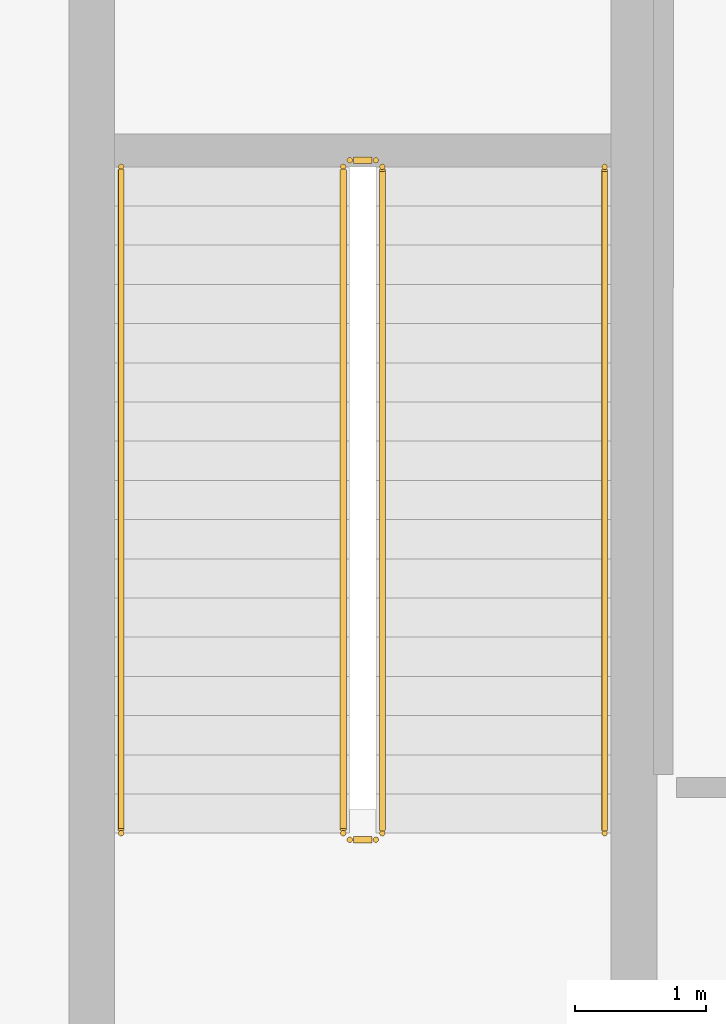
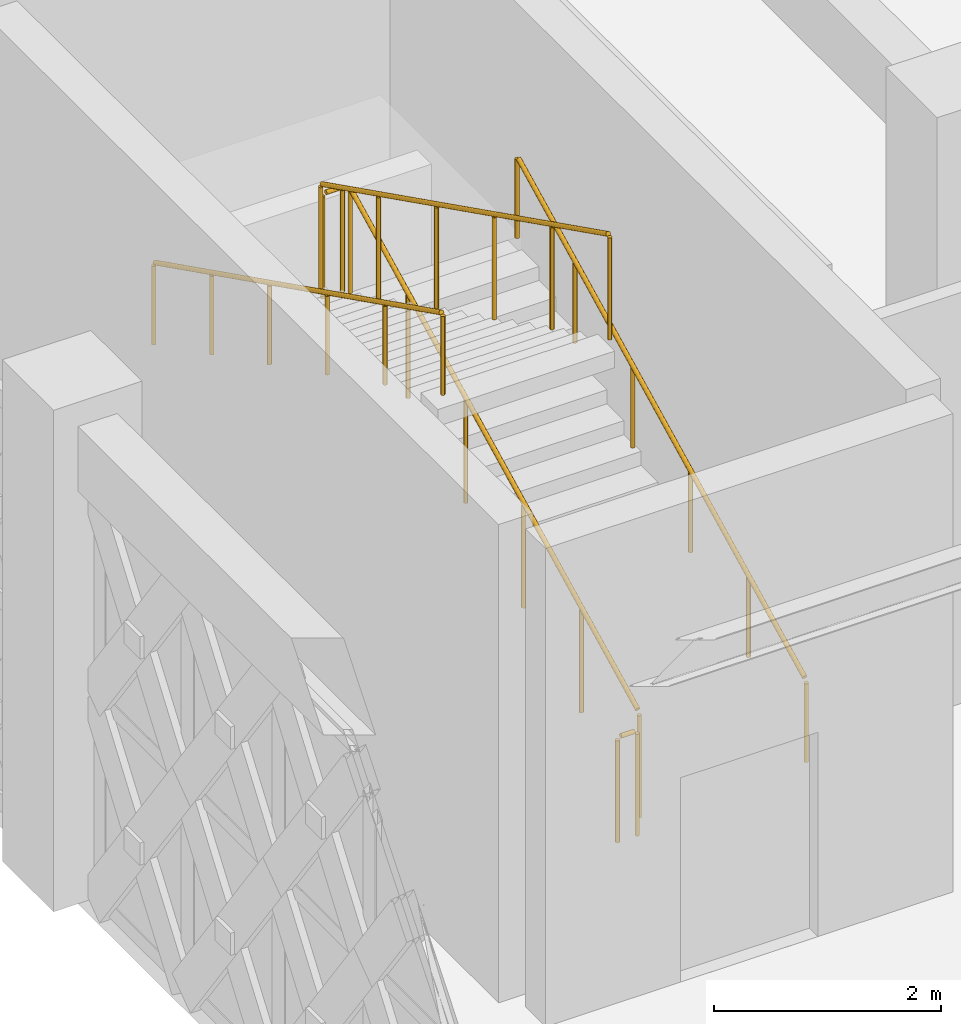
# One storey, part 162 of 166: 6 railings.
"""IFC4 building model written with IfcOpenShell, lengths in metres."""

from ifc_helpers import new_model, si_unit, direction, frame, origin, origin_2d, place, context, subcontext, project, spatial, circle, extrude, material, type_object, element, save


model = new_model("IFC4")

# Units and contexts
model_context = context("Model", 3, precision=1e-05, world=origin(), true_north=direction((0.0, 1.0)))
body_context = subcontext(model_context, "Body", "Model", "MODEL_VIEW")
ifc_project = project(units=[si_unit("LENGTHUNIT", "METRE"), si_unit("AREAUNIT", "SQUARE_METRE"), si_unit("VOLUMEUNIT", "CUBIC_METRE"), si_unit("PLANEANGLEUNIT", "RADIAN"), si_unit("MASSUNIT", "GRAM", prefix="KILO")], contexts=[model_context])

# Site, building, storey
site_placement = place(None, origin())
site = spatial("IfcSite", under=ifc_project, at=site_placement, CompositionType="ELEMENT")
building_placement = place(site_placement, origin())
building = spatial("IfcBuilding", under=site, at=building_placement, Name="Haizhuo Lancet Aquarium", CompositionType="ELEMENT")
storey_placement = place(building_placement, frame((0.0, 0.0, 5.39990234375)))
storey = spatial("IfcBuildingStorey", under=building, at=storey_placement, Name="L01", CompositionType="ELEMENT", Elevation=5.39990234375)

# Railings
ifc_material = material(Name="Steel S355", Category="steel")
railing_type_1 = type_object("IfcRailingType", Name="RL-GRD-1150", PredefinedType="GUARDRAIL", material=ifc_material)
railing_1_placement = place(storey_placement, frame((-22.35009765625, 43.050048828125, 0.150146484375)))
element("IfcRailing", 1, at=railing_1_placement, inside=storey, type_object=railing_type_1, Name="L01 ST-07 stair guard 1", PredefinedType="GUARDRAIL", context=body_context, shape_type="SweptSolid", body=[
    extrude(circle(Radius=0.02392578125, at=origin_2d()), frame((0.0, 0.02685546875, 1.13916015625), z_axis=(0.0, 0.894418627299, 0.447230722492), x_axis=(-1.0, 0.0, 0.0)), (0.0, 0.0, 1.0), 5.641845703125),
    extrude(circle(Radius=0.02099609375, at=origin_2d()), origin(), (0.0, 0.0, 1.0), 1.097900390625),
    extrude(circle(Radius=0.02099609375, at=origin_2d()), frame((0.0, 1.02001953125, 0.510009765625)), (0.0, 0.0, 1.0), 1.097900390625),
    extrude(circle(Radius=0.02099609375, at=origin_2d()), frame((0.0, 2.0400390625, 1.02001953125)), (0.0, 0.0, 1.0), 1.097900390625),
    extrude(circle(Radius=0.02099609375, at=origin_2d()), frame((0.0, 3.059814453125, 1.530029296875)), (0.0, 0.0, 1.0), 1.097900390625),
    extrude(circle(Radius=0.02099609375, at=origin_2d()), frame((0.0, 4.079833984375, 2.0400390625)), (0.0, 0.0, 1.0), 1.097900390625),
    extrude(circle(Radius=0.02099609375, at=origin_2d()), frame((0.0, 5.099853515625, 2.550048828125)), (0.0, 0.0, 1.0), 1.097900390625),
])
railing_2_placement = place(storey_placement, frame((-22.39990234375, 48.199951171875, 2.7001953125)))
element("IfcRailing", 2, at=railing_2_placement, inside=storey, type_object=railing_type_1, Name="L01 ST-07 stair guard 2", PredefinedType="GUARDRAIL", context=body_context, shape_type="SweptSolid", body=[
    extrude(circle(Radius=0.02392578125, at=origin_2d()), frame((-0.030029296875, 0.0, 1.1259765625), z_axis=(-1.0, 0.0, 0.0), x_axis=(0.0, -1.0, 0.0)), (0.0, 0.0, 1.0), 0.14013671875),
    extrude(circle(Radius=0.02099609375, at=origin_2d()), origin(), (0.0, 0.0, 1.0), 1.097900390625),
    extrude(circle(Radius=0.02099609375, at=origin_2d()), frame((-0.2001953125, 0.0, 0.0)), (0.0, 0.0, 1.0), 1.097900390625),
])
railing_3_placement = place(storey_placement, frame((-22.64990234375, 48.14990234375, 2.85009765625)))
element("IfcRailing", 3, at=railing_3_placement, inside=storey, type_object=railing_type_1, Name="L01 ST-07 stair guard 3", PredefinedType="GUARDRAIL", context=body_context, shape_type="SweptSolid", body=[
    extrude(circle(Radius=0.02392578125, at=origin_2d()), frame((0.0, -0.02685546875, 1.13916015625), z_axis=(0.0, -0.894418627299, 0.447230722492), x_axis=(1.0, 0.0, 0.0)), (0.0, 0.0, 1.0), 5.641845703125),
    extrude(circle(Radius=0.02099609375, at=origin_2d()), origin(), (0.0, 0.0, 1.0), 1.097900390625),
    extrude(circle(Radius=0.02099609375, at=origin_2d()), frame((0.0, -1.02001953125, 0.510009765625)), (0.0, 0.0, 1.0), 1.097900390625),
    extrude(circle(Radius=0.02099609375, at=origin_2d()), frame((0.0, -2.0400390625, 1.02001953125)), (0.0, 0.0, 1.0), 1.097900390625),
    extrude(circle(Radius=0.02099609375, at=origin_2d()), frame((0.0, -3.059814453125, 1.530029296875)), (0.0, 0.0, 1.0), 1.097900390625),
    extrude(circle(Radius=0.02099609375, at=origin_2d()), frame((0.0, -4.079833984375, 2.0400390625)), (0.0, 0.0, 1.0), 1.097900390625),
    extrude(circle(Radius=0.02099609375, at=origin_2d()), frame((0.0, -5.099853515625, 2.550048828125)), (0.0, 0.0, 1.0), 1.097900390625),
])
railing_4_placement = place(storey_placement, frame((-22.39990234375, 43.0, 0.0)))
element("IfcRailing", 4, at=railing_4_placement, inside=storey, type_object=railing_type_1, Name="L01 ST-07 stair guard 4", PredefinedType="GUARDRAIL", context=body_context, shape_type="SweptSolid", body=[
    extrude(circle(Radius=0.02392578125, at=origin_2d()), frame((-0.030029296875, 0.0, 1.1259765625), z_axis=(-1.0, 0.0, 0.0), x_axis=(0.0, -1.0, 0.0)), (0.0, 0.0, 1.0), 0.14013671875),
    extrude(circle(Radius=0.02099609375, at=origin_2d()), origin(), (0.0, 0.0, 1.0), 1.097900390625),
    extrude(circle(Radius=0.02099609375, at=origin_2d()), frame((-0.2001953125, 0.0, 0.0)), (0.0, 0.0, 1.0), 1.097900390625),
])
railing_type_2 = type_object("IfcRailingType", Name="RL-HDR-900", PredefinedType="HANDRAIL", material=ifc_material)
railing_5_placement = place(storey_placement, frame((-20.64990234375, 43.050048828125, 0.150146484375)))
element("IfcRailing", 5, at=railing_5_placement, inside=storey, type_object=railing_type_2, Name="L01 ST-07 pitch handrail 1", PredefinedType="HANDRAIL", context=body_context, shape_type="SweptSolid", body=[
    extrude(circle(Radius=0.02392578125, at=origin_2d()), frame((0.0, 0.02685546875, 0.88916015625), z_axis=(0.0, 0.894418627299, 0.447230722492), x_axis=(-1.0, 0.0, 0.0)), (0.0, 0.0, 1.0), 5.641845703125),
    extrude(circle(Radius=0.02099609375, at=origin_2d()), origin(), (0.0, 0.0, 1.0), 0.847900390625),
    extrude(circle(Radius=0.02099609375, at=origin_2d()), frame((0.0, 1.02001953125, 0.510009765625)), (0.0, 0.0, 1.0), 0.847900390625),
    extrude(circle(Radius=0.02099609375, at=origin_2d()), frame((0.0, 2.0400390625, 1.02001953125)), (0.0, 0.0, 1.0), 0.847900390625),
    extrude(circle(Radius=0.02099609375, at=origin_2d()), frame((0.0, 3.059814453125, 1.530029296875)), (0.0, 0.0, 1.0), 0.847900390625),
    extrude(circle(Radius=0.02099609375, at=origin_2d()), frame((0.0, 4.079833984375, 2.0400390625)), (0.0, 0.0, 1.0), 0.847900390625),
    extrude(circle(Radius=0.02099609375, at=origin_2d()), frame((0.0, 5.099853515625, 2.550048828125)), (0.0, 0.0, 1.0), 0.847900390625),
])
railing_6_placement = place(storey_placement, frame((-24.35009765625, 48.14990234375, 2.85009765625)))
element("IfcRailing", 6, at=railing_6_placement, inside=storey, type_object=railing_type_2, Name="L01 ST-07 pitch handrail 2", PredefinedType="HANDRAIL", context=body_context, shape_type="SweptSolid", body=[
    extrude(circle(Radius=0.02392578125, at=origin_2d()), frame((0.0, -0.02685546875, 0.88916015625), z_axis=(0.0, -0.894418627299, 0.447230722492), x_axis=(1.0, 0.0, 0.0)), (0.0, 0.0, 1.0), 5.641845703125),
    extrude(circle(Radius=0.02099609375, at=origin_2d()), origin(), (0.0, 0.0, 1.0), 0.847900390625),
    extrude(circle(Radius=0.02099609375, at=origin_2d()), frame((0.0, -1.02001953125, 0.510009765625)), (0.0, 0.0, 1.0), 0.847900390625),
    extrude(circle(Radius=0.02099609375, at=origin_2d()), frame((0.0, -2.0400390625, 1.02001953125)), (0.0, 0.0, 1.0), 0.847900390625),
    extrude(circle(Radius=0.02099609375, at=origin_2d()), frame((0.0, -3.059814453125, 1.530029296875)), (0.0, 0.0, 1.0), 0.847900390625),
    extrude(circle(Radius=0.02099609375, at=origin_2d()), frame((0.0, -4.079833984375, 2.0400390625)), (0.0, 0.0, 1.0), 0.847900390625),
    extrude(circle(Radius=0.02099609375, at=origin_2d()), frame((0.0, -5.099853515625, 2.550048828125)), (0.0, 0.0, 1.0), 0.847900390625),
])

save(model, "model.ifc")
